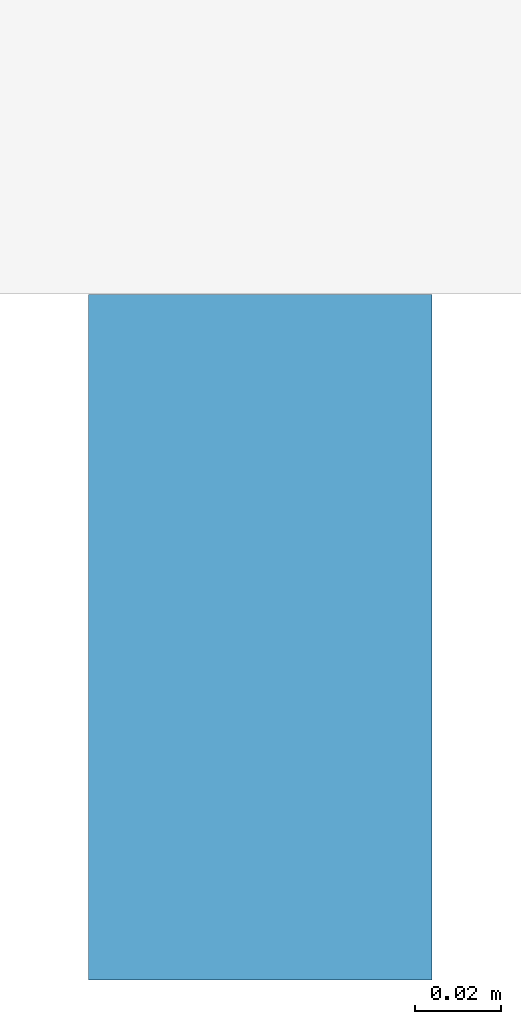
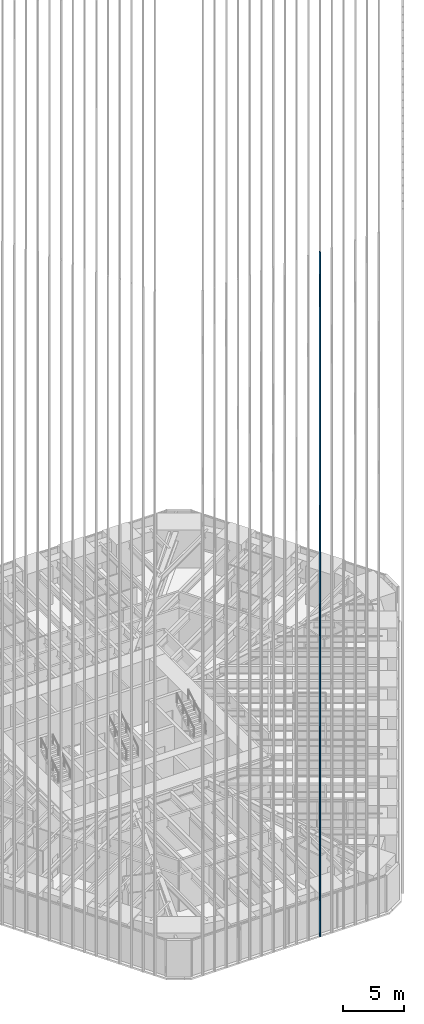
# One storey, part 69 of 256: 1 member, 1 element without a shape of its own.
"""IFC4 building model written with IfcOpenShell, lengths in metres."""

from ifc_helpers import new_model, si_unit, direction, frame, origin, origin_2d, place, context, subcontext, project, spatial, rectangle, extrude, material, material_profile, profile_set, type_object, element, aggregate, save


model = new_model("IFC4")

# Units and contexts
model_context = context("Model", 3, precision=1e-05, world=origin(), true_north=direction((0.0, 1.0)))
body_context = subcontext(model_context, "Body", "Model", "MODEL_VIEW")
ifc_project = project(units=[si_unit("LENGTHUNIT", "METRE"), si_unit("AREAUNIT", "SQUARE_METRE"), si_unit("VOLUMEUNIT", "CUBIC_METRE"), si_unit("PLANEANGLEUNIT", "RADIAN"), si_unit("MASSUNIT", "GRAM", prefix="KILO")], contexts=[model_context])

# Site, building, storey
site_placement = place(None, origin())
site = spatial("IfcSite", under=ifc_project, at=site_placement, CompositionType="ELEMENT")
building_placement = place(site_placement, origin())
building = spatial("IfcBuilding", under=site, at=building_placement, Name="Sandreach Pilgrim Tower", CompositionType="ELEMENT")
storey_placement = place(building_placement, frame((0.0, 0.0, 23.0)))
storey = spatial("IfcBuildingStorey", under=building, at=storey_placement, Name="L04", CompositionType="ELEMENT", Elevation=23.0)

# Curtain wall, member
ifc_material_1 = material(Name="Aluminium framed curtain wall", Category="aluminium")
curtain_wall_type = type_object("IfcCurtainWallType", Name="Hostel tower curtain wall", PredefinedType="NOTDEFINED", material=ifc_material_1)
curtain_wall_placement = place(storey_placement, origin())
curtain_wall = element("IfcCurtainWall", 1, at=curtain_wall_placement, inside=storey, type_object=curtain_wall_type, Name="CW-1 L04 S", PredefinedType="NOTDEFINED")
ifc_material_2 = material(Name="Extruded terracotta on aluminium core", Category="masonry")
ifc_material_profile = material_profile(ifc_material_2, rectangle(XDim=0.080078125, YDim=0.159912109375, at=origin_2d()), Name="TBS 80X160")
ifc_profile_set = profile_set([ifc_material_profile], Name="Extruded terracotta on aluminium core")
member_type = type_object("IfcMemberType", Name="Terracotta baguette south", PredefinedType="USERDEFINED", material=ifc_profile_set)
member_placement = place(storey_placement, frame((2.76220703125, -30.390869140625, 0.0), z_axis=(0.0, 0.0, 1.0), x_axis=(-1.0, 0.0, 0.0)))
member = element("IfcMember", 2, at=member_placement, type_object=member_type, Name="Baguette Z1 S06", ObjectType="BAGUETTE", PredefinedType="USERDEFINED", context=body_context, shape_type="SweptSolid", body=[
    extrude(rectangle(XDim=0.080078125, YDim=0.159912109375, at=origin_2d()), origin(), (0.0, 0.0, 1.0), 68.239990234375),
])
aggregate(curtain_wall, [member])

save(model, "model.ifc")
